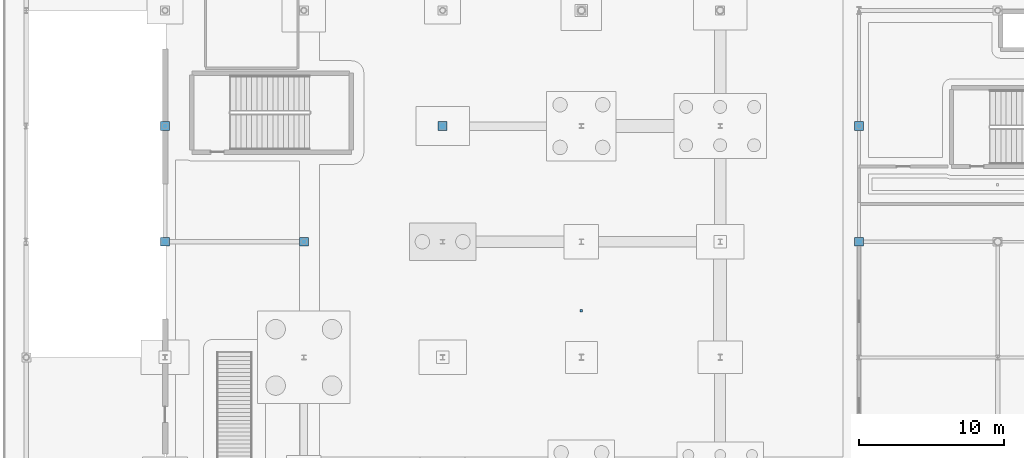
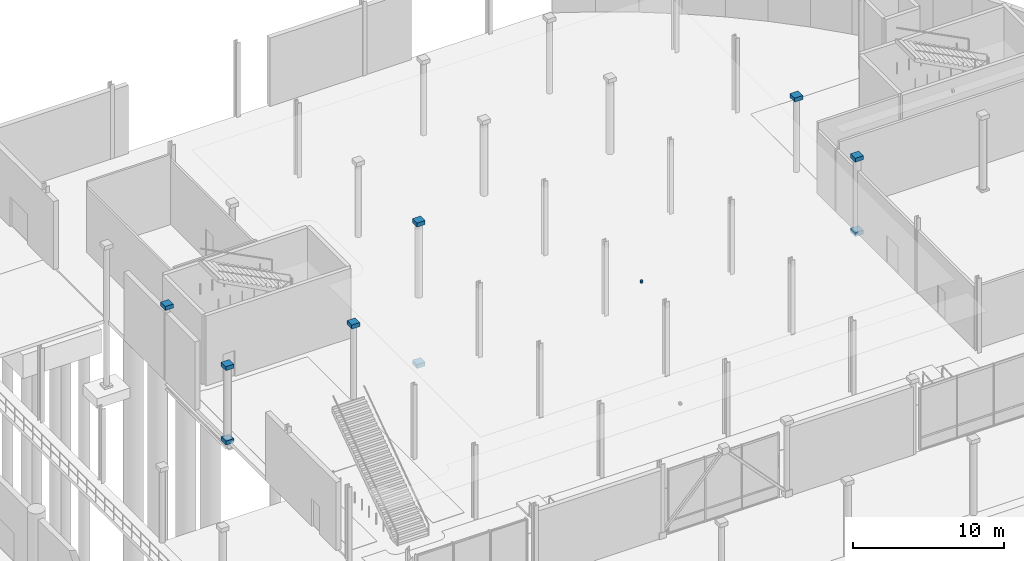
# One storey, part 99 of 124: 10 discrete accessories.
"""IFC4 building model written with IfcOpenShell, lengths in metres."""

from ifc_helpers import new_model, si_unit, direction, frame, origin, origin_2d, place, context, subcontext, project, spatial, rectangle, extrude, material, type_object, element, save


model = new_model("IFC4")

# Units and contexts
model_context = context("Model", 3, precision=1e-05, world=origin(), true_north=direction((0.0, 1.0)))
body_context = subcontext(model_context, "Body", "Model", "MODEL_VIEW")
ifc_project = project(units=[si_unit("LENGTHUNIT", "METRE"), si_unit("AREAUNIT", "SQUARE_METRE"), si_unit("VOLUMEUNIT", "CUBIC_METRE"), si_unit("PLANEANGLEUNIT", "RADIAN"), si_unit("MASSUNIT", "GRAM", prefix="KILO")], contexts=[model_context])

# Site, building, storey
site_placement = place(None, origin())
site = spatial("IfcSite", under=ifc_project, at=site_placement, CompositionType="ELEMENT")
building_placement = place(site_placement, origin())
building = spatial("IfcBuilding", under=site, at=building_placement, Name="Danafjord Basin Convention Centre", CompositionType="ELEMENT")
storey_placement = place(building_placement, origin())
storey = spatial("IfcBuildingStorey", under=building, at=storey_placement, Name="L00", CompositionType="ELEMENT", Elevation=0.0)

# Discrete accessories
ifc_material_1 = material(Name="Stainless steel EN 1.4404", Category="steel")
discrete_accessory_type_1 = type_object("IfcDiscreteAccessoryType", Name="ACC-FIN-BRK", PredefinedType="BRACKET", material=ifc_material_1)
discrete_accessory_placement = place(storey_placement, frame((163.199951171875, 107.219970703125, 5.4599609375), z_axis=(0.0, 0.0, 1.0), x_axis=(1.0, 0.0, 0.0)))
element("IfcDiscreteAccessory", 1, at=discrete_accessory_placement, inside=storey, type_object=discrete_accessory_type_1, Name="Suspended ceiling steel hanger assembly", PredefinedType="BRACKET", context=body_context, shape_type="SweptSolid", body=[
    extrude(rectangle(XDim=0.159912109375, YDim=0.159912109375, at=origin_2d()), origin(), (0.0, 0.0, 1.0), 0.199951171875),
])
ifc_material_2 = material(Name="Steel S355", Category="steel")
discrete_accessory_type_2 = type_object("IfcDiscreteAccessoryType", Name="ACC-SF-HUB", PredefinedType="BRACKET", material=ifc_material_2)
for number, where, z_axis, x_axis, name in (
    (2, (134.39990234375, 112.0, -0.16015625), (0.0, 0.0, 1.0), (1.0, 0.0, 0.0), "Tubular steel column transition collar"),
    (3, (134.39990234375, 112.0, 5.83984375), (0.0, 0.0, 1.0), (1.0, 0.0, 0.0), "Tubular steel column top cap plate"),
    (4, (134.39990234375, 120.0, 5.83984375), (0.0, 0.0, 1.0), (1.0, 0.0, 0.0), "Tubular steel column top cap plate"),
    (5, (144.0, 112.0, 5.83984375), (0.0, 0.0, 1.0), (1.0, 0.0, 0.0), "Tubular steel column top cap plate"),
    (6, (153.60009765625, 120.0, -5.56005859375), (0.0, 0.0, 1.0), (1.0, 0.0, 0.0), "Tubular steel column base collar"),
    (7, (153.60009765625, 120.0, 5.83984375), (0.0, 0.0, 1.0), (1.0, 0.0, 0.0), "Tubular steel column top cap plate"),
    (8, (182.39990234375, 112.0, -0.16015625), (0.0, 0.0, 1.0), (1.0, 0.0, 0.0), "Tubular steel column transition collar"),
    (9, (182.39990234375, 112.0, 5.83984375), (0.0, 0.0, 1.0), (1.0, 0.0, 0.0), "Tubular steel column top cap plate"),
    (10, (182.39990234375, 120.0, 5.83984375), (0.0, 0.0, 1.0), (1.0, 0.0, 0.0), "Tubular steel column top cap plate"),
):
    element("IfcDiscreteAccessory", number, at=place(storey_placement, frame(where, z_axis=z_axis, x_axis=x_axis)), inside=storey, type_object=discrete_accessory_type_2, Name=name, PredefinedType="BRACKET", context=body_context, shape_type="SweptSolid", body=[
        extrude(rectangle(XDim=0.6201171875, YDim=0.6201171875, at=origin_2d()), origin(), (0.0, 0.0, 1.0), 0.320068359375),
    ])

save(model, "model.ifc")
